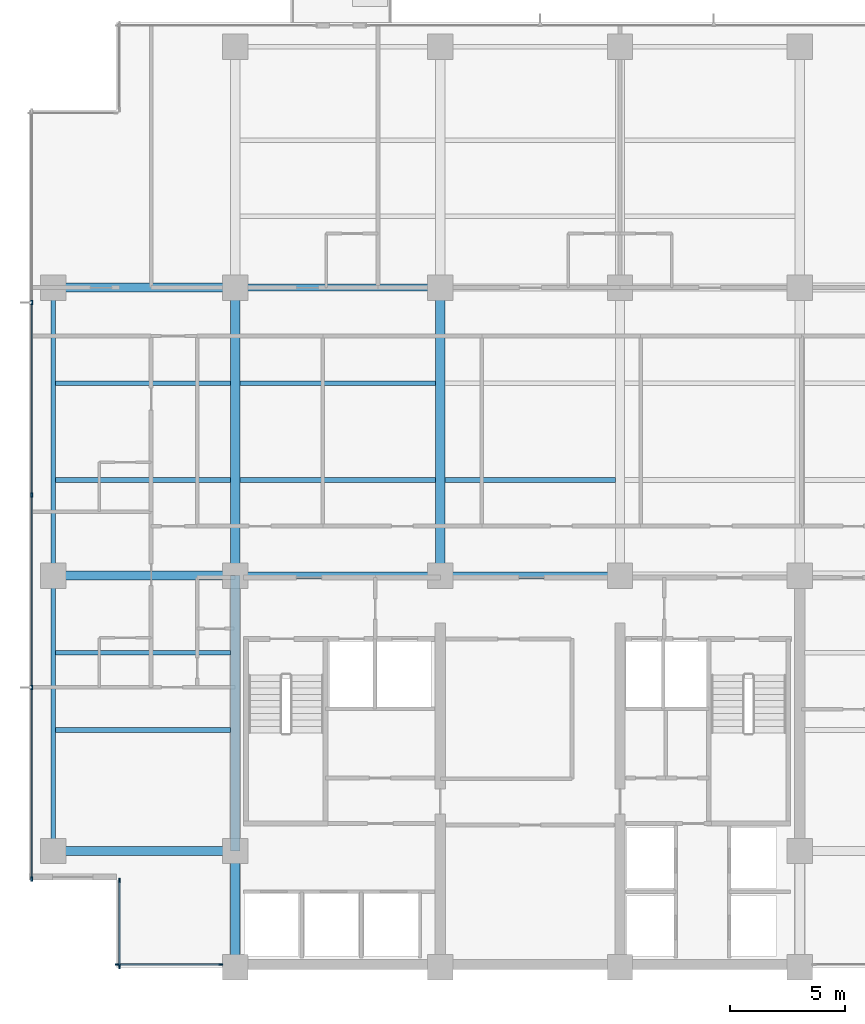
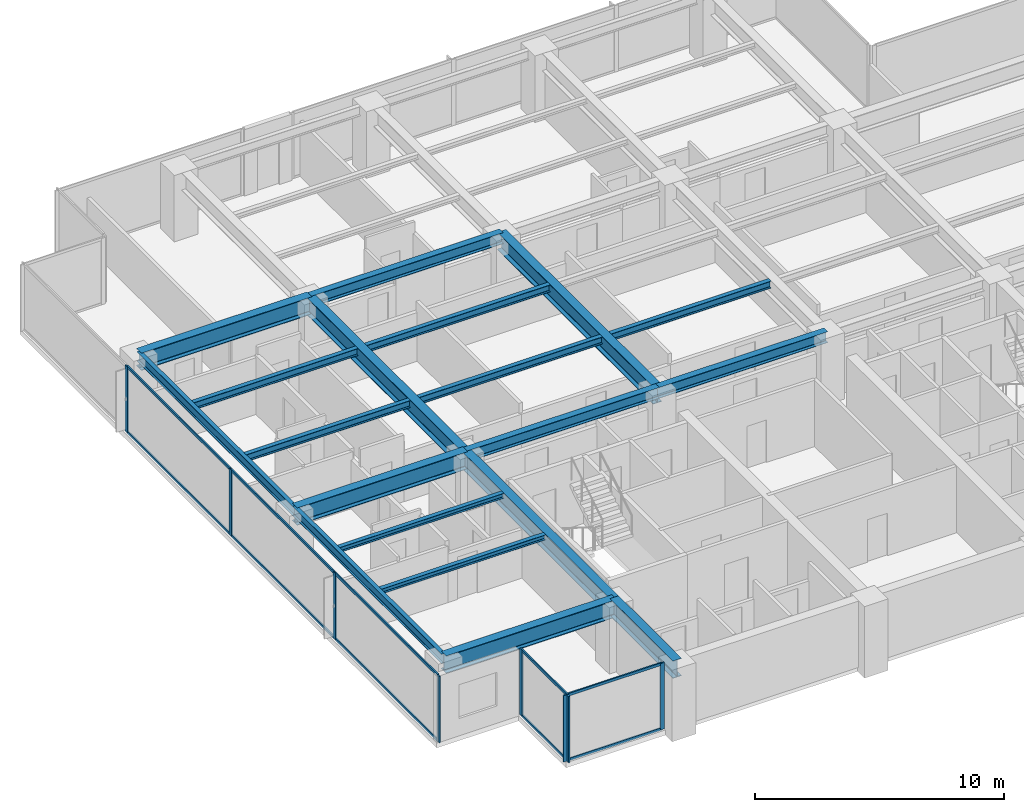
# One storey, part 2 of 14: 19 beams, 18 members, 3 elements without a shape of their own.
"""IFC4 building model written with IfcOpenShell, lengths in metres."""

from ifc_helpers import new_model, si_unit, direction, frame, origin, origin_2d, place, context, subcontext, project, spatial, rectangle, i_section, extrude, material, layer, layer_set, material_profile, profile_set, type_object, element, aggregate, save


model = new_model("IFC4")

# Units and contexts
model_context = context("Model", 3, precision=1e-05, world=origin(), true_north=direction((0.0, 1.0)))
body_context = subcontext(model_context, "Body", "Model", "MODEL_VIEW")
ifc_project = project(units=[si_unit("LENGTHUNIT", "METRE"), si_unit("AREAUNIT", "SQUARE_METRE"), si_unit("VOLUMEUNIT", "CUBIC_METRE"), si_unit("PLANEANGLEUNIT", "RADIAN"), si_unit("MASSUNIT", "GRAM", prefix="KILO")], contexts=[model_context])

# Site, building, storey
site_placement = place(None, origin())
site = spatial("IfcSite", under=ifc_project, at=site_placement, CompositionType="ELEMENT")
building_placement = place(site_placement, origin())
building = spatial("IfcBuilding", under=site, at=building_placement, Name="Qalmaran Belvedere Hotel", CompositionType="ELEMENT")
storey_placement = place(building_placement, frame((0.0, 0.0, 166.60009765625)))
storey = spatial("IfcBuildingStorey", under=building, at=storey_placement, Name="L42", CompositionType="ELEMENT", Elevation=166.60009765625)

# Beams
ifc_material_1 = material(Name="Steel S355JR", Category="steel")
ifc_material_profile_1 = material_profile(ifc_material_1, i_section(OverallWidth=0.201904296875, OverallDepth=0.2470703125, WebThickness=0.00732421875, FlangeThickness=0.010986328125, FilletRadius=0.011962890625, at=origin_2d()), Name="W250X49")
ifc_profile_set_1 = profile_set([ifc_material_profile_1], Name="Steel S355JR")
beam_type_1 = type_object("IfcBeamType", Name="BM-JST-W250X49", PredefinedType="JOIST", material=ifc_profile_set_1)
for number, where, z_axis, x_axis, name in (
    (1, (12.493896484375, 13.800048828125, 3.12646484375), (1.0, 0.0, 0.0), (0.0, 1.0, 0.0), "L42 West Wing Joist 038"),
    (2, (12.493896484375, 17.14990234375, 3.12646484375), (1.0, 0.0, 0.0), (0.0, 1.0, 0.0), "L42 West Wing Joist 040"),
):
    element("IfcBeam", number, at=place(storey_placement, frame(where, z_axis=z_axis, x_axis=x_axis)), inside=storey, type_object=beam_type_1, Name=name, PredefinedType="JOIST", context=body_context, shape_type="SweptSolid", body=[
        extrude(i_section(OverallWidth=0.201904296875, OverallDepth=0.2470703125, WebThickness=0.00732421875, FlangeThickness=0.010986328125, FilletRadius=0.011962890625, at=origin_2d()), origin(), (0.0, 0.0, 1.0), 7.608154296875),
    ])
ifc_material_profile_2 = material_profile(ifc_material_1, i_section(OverallWidth=0.39990234375, OverallDepth=0.85498046875, WebThickness=0.018310546875, FlangeThickness=0.029296875, FilletRadius=0.02392578125, at=origin_2d()), Name="W840X299")
ifc_profile_set_2 = profile_set([ifc_material_profile_2], Name="Steel S355JR")
beam_type_2 = type_object("IfcBeamType", Name="BM-PG3-W840X299", PredefinedType="USERDEFINED", material=ifc_profile_set_2)
for number, where, z_axis, x_axis, name in (
    (3, (20.300048828125, 20.5, 2.822509765625), (0.0, 1.0, 0.0), (-1.0, 0.0, 0.0), "L42 Mid-Plate N-S Girder 14"),
    (4, (29.199951171875, 20.5, 2.822509765625), (0.0, 1.0, 0.0), (-1.0, 0.0, 0.0), "L42 Mid-Plate N-S Girder 16"),
):
    element("IfcBeam", number, at=place(storey_placement, frame(where, z_axis=z_axis, x_axis=x_axis)), inside=storey, type_object=beam_type_2, Name=name, ObjectType="GIRDER", PredefinedType="USERDEFINED", context=body_context, shape_type="SweptSolid", body=[
        extrude(i_section(OverallWidth=0.39990234375, OverallDepth=0.85498046875, WebThickness=0.018310546875, FlangeThickness=0.029296875, FilletRadius=0.02392578125, at=origin_2d()), origin(), (0.0, 0.0, 1.0), 12.5),
    ])
for number, where, z_axis, x_axis, name in (
    (5, (12.39990234375, 8.550048828125, 2.822509765625), (1.0, 0.0, 0.0), (0.0, 1.0, 0.0), "L42 West Wing Girder 22"),
    (6, (12.39990234375, 20.5, 2.822509765625), (1.0, 0.0, 0.0), (0.0, 1.0, 0.0), "L42 West Wing Girder 23"),
    (7, (12.39990234375, 33.0, 2.822509765625), (1.0, 0.0, 0.0), (0.0, 1.0, 0.0), "L42 West Wing Girder 24"),
):
    element("IfcBeam", number, at=place(storey_placement, frame(where, z_axis=z_axis, x_axis=x_axis)), inside=storey, type_object=beam_type_2, Name=name, ObjectType="GIRDER", PredefinedType="USERDEFINED", context=body_context, shape_type="SweptSolid", body=[
        extrude(i_section(OverallWidth=0.39990234375, OverallDepth=0.85498046875, WebThickness=0.018310546875, FlangeThickness=0.029296875, FilletRadius=0.02392578125, at=origin_2d()), origin(), (0.0, 0.0, 1.0), 7.900146484375),
    ])
beam_1_placement = place(storey_placement, frame((20.300048828125, 3.5, 2.822509765625), z_axis=(0.0, 1.0, 0.0), x_axis=(-1.0, 0.0, 0.0)))
element("IfcBeam", 8, at=beam_1_placement, inside=storey, type_object=beam_type_2, Name="L42 West Core Edge Girder A", ObjectType="GIRDER", PredefinedType="USERDEFINED", context=body_context, shape_type="SweptSolid", body=[
    extrude(i_section(OverallWidth=0.39990234375, OverallDepth=0.85498046875, WebThickness=0.018310546875, FlangeThickness=0.029296875, FilletRadius=0.02392578125, at=origin_2d()), origin(), (0.0, 0.0, 1.0), 5.050048828125),
])
beam_2_placement = place(storey_placement, frame((20.300048828125, 8.550048828125, 2.822509765625), z_axis=(0.0, 1.0, 0.0), x_axis=(-1.0, 0.0, 0.0)))
element("IfcBeam", 9, at=beam_2_placement, inside=storey, type_object=beam_type_2, Name="L42 West Core Edge Girder B", ObjectType="GIRDER", PredefinedType="USERDEFINED", context=body_context, shape_type="SweptSolid", body=[
    extrude(i_section(OverallWidth=0.39990234375, OverallDepth=0.85498046875, WebThickness=0.018310546875, FlangeThickness=0.029296875, FilletRadius=0.02392578125, at=origin_2d()), origin(), (0.0, 0.0, 1.0), 11.949951171875),
])
ifc_material_profile_3 = material_profile(ifc_material_1, i_section(OverallWidth=0.205078125, OverallDepth=0.35400390625, WebThickness=0.009521484375, FlangeThickness=0.016845703125, FilletRadius=0.014892578125, at=origin_2d()), Name="W360X79")
ifc_profile_set_3 = profile_set([ifc_material_profile_3], Name="Steel S355JR")
beam_type_3 = type_object("IfcBeamType", Name="BM-SB3-W360X79", PredefinedType="BEAM", material=ifc_profile_set_3)
beam_3_placement = place(storey_placement, frame((12.493896484375, 24.64990234375, 3.072998046875), z_axis=(1.0, 0.0, 0.0), x_axis=(0.0, 1.0, 0.0)))
element("IfcBeam", 10, at=beam_3_placement, inside=storey, type_object=beam_type_3, Name="L42 West Secondary Beam 028", PredefinedType="BEAM", context=body_context, shape_type="SweptSolid", body=[
    extrude(i_section(OverallWidth=0.205078125, OverallDepth=0.35400390625, WebThickness=0.009521484375, FlangeThickness=0.016845703125, FilletRadius=0.014892578125, at=origin_2d()), origin(), (0.0, 0.0, 1.0), 7.608154296875),
])
beam_4_placement = place(storey_placement, frame((20.498046875, 24.64990234375, 3.072998046875), z_axis=(1.0, 0.0, 0.0), x_axis=(0.0, 1.0, 0.0)))
element("IfcBeam", 11, at=beam_4_placement, inside=storey, type_object=beam_type_3, Name="L42 Secondary Floor Beam 029", PredefinedType="BEAM", context=body_context, shape_type="SweptSolid", body=[
    extrude(i_section(OverallWidth=0.205078125, OverallDepth=0.35400390625, WebThickness=0.009521484375, FlangeThickness=0.016845703125, FilletRadius=0.014892578125, at=origin_2d()), origin(), (0.0, 0.0, 1.0), 8.50390625),
])
beam_5_placement = place(storey_placement, frame((29.39794921875, 24.64990234375, 3.072998046875), z_axis=(1.0, 0.0, 0.0), x_axis=(0.0, 1.0, 0.0)))
element("IfcBeam", 12, at=beam_5_placement, inside=storey, type_object=beam_type_3, Name="L42 Secondary Floor Beam 030", PredefinedType="BEAM", context=body_context, shape_type="SweptSolid", body=[
    extrude(i_section(OverallWidth=0.205078125, OverallDepth=0.35400390625, WebThickness=0.009521484375, FlangeThickness=0.016845703125, FilletRadius=0.014892578125, at=origin_2d()), origin(), (0.0, 0.0, 1.0), 7.404052734375),
])
beam_6_placement = place(storey_placement, frame((12.493896484375, 28.85009765625, 3.072998046875), z_axis=(1.0, 0.0, 0.0), x_axis=(0.0, 1.0, 0.0)))
element("IfcBeam", 13, at=beam_6_placement, inside=storey, type_object=beam_type_3, Name="L42 West Secondary Beam 033", PredefinedType="BEAM", context=body_context, shape_type="SweptSolid", body=[
    extrude(i_section(OverallWidth=0.205078125, OverallDepth=0.35400390625, WebThickness=0.009521484375, FlangeThickness=0.016845703125, FilletRadius=0.014892578125, at=origin_2d()), origin(), (0.0, 0.0, 1.0), 7.608154296875),
])
beam_7_placement = place(storey_placement, frame((20.498046875, 28.85009765625, 3.072998046875), z_axis=(1.0, 0.0, 0.0), x_axis=(0.0, 1.0, 0.0)))
element("IfcBeam", 14, at=beam_7_placement, inside=storey, type_object=beam_type_3, Name="L42 Secondary Floor Beam 034", PredefinedType="BEAM", context=body_context, shape_type="SweptSolid", body=[
    extrude(i_section(OverallWidth=0.205078125, OverallDepth=0.35400390625, WebThickness=0.009521484375, FlangeThickness=0.016845703125, FilletRadius=0.014892578125, at=origin_2d()), origin(), (0.0, 0.0, 1.0), 8.50390625),
])
ifc_material_profile_4 = material_profile(ifc_material_1, i_section(OverallWidth=0.19189453125, OverallDepth=0.462890625, WebThickness=0.010498046875, FlangeThickness=0.017578125, FilletRadius=0.01611328125, at=origin_2d()), Name="W460X89")
ifc_profile_set_4 = profile_set([ifc_material_profile_4], Name="Steel S355JR")
beam_type_4 = type_object("IfcBeamType", Name="BM-SP2-W460X89", PredefinedType="SPANDREL", material=ifc_profile_set_4)
beam_8_placement = place(storey_placement, frame((12.39990234375, 8.550048828125, 3.018310546875), z_axis=(0.0, 1.0, 0.0), x_axis=(-1.0, 0.0, 0.0)))
element("IfcBeam", 15, at=beam_8_placement, inside=storey, type_object=beam_type_4, Name="L42 Perimeter Spandrel 01", PredefinedType="SPANDREL", context=body_context, shape_type="SweptSolid", body=[
    extrude(i_section(OverallWidth=0.19189453125, OverallDepth=0.462890625, WebThickness=0.010498046875, FlangeThickness=0.017578125, FilletRadius=0.01611328125, at=origin_2d()), origin(), (0.0, 0.0, 1.0), 11.949951171875),
])
beam_9_placement = place(storey_placement, frame((12.39990234375, 20.5, 3.018310546875), z_axis=(0.0, 1.0, 0.0), x_axis=(-1.0, 0.0, 0.0)))
element("IfcBeam", 16, at=beam_9_placement, inside=storey, type_object=beam_type_4, Name="L42 Perimeter Spandrel 02", PredefinedType="SPANDREL", context=body_context, shape_type="SweptSolid", body=[
    extrude(i_section(OverallWidth=0.19189453125, OverallDepth=0.462890625, WebThickness=0.010498046875, FlangeThickness=0.017578125, FilletRadius=0.01611328125, at=origin_2d()), origin(), (0.0, 0.0, 1.0), 12.5),
])
ifc_material_profile_5 = material_profile(ifc_material_1, i_section(OverallWidth=0.31201171875, OverallDepth=0.54296875, WebThickness=0.0126953125, FlangeThickness=0.020263671875, FilletRadius=0.01806640625, at=origin_2d()), Name="W530X150")
ifc_profile_set_5 = profile_set([ifc_material_profile_5], Name="Steel S355JR")
beam_type_5 = type_object("IfcBeamType", Name="BM-Z3-W530X150", PredefinedType="USERDEFINED", material=ifc_profile_set_5)
beam_10_placement = place(storey_placement, frame((20.300048828125, 20.5, 2.978515625), z_axis=(1.0, 0.0, 0.0), x_axis=(0.0, 1.0, 0.0)))
element("IfcBeam", 17, at=beam_10_placement, inside=storey, type_object=beam_type_5, Name="L42 Interior E-W Girder 08", ObjectType="GIRDER", PredefinedType="USERDEFINED", context=body_context, shape_type="SweptSolid", body=[
    extrude(i_section(OverallWidth=0.31201171875, OverallDepth=0.54296875, WebThickness=0.0126953125, FlangeThickness=0.020263671875, FilletRadius=0.01806640625, at=origin_2d()), origin(), (0.0, 0.0, 1.0), 8.89990234375),
])
beam_11_placement = place(storey_placement, frame((29.199951171875, 20.5, 2.978515625), z_axis=(1.0, 0.0, 0.0), x_axis=(0.0, 1.0, 0.0)))
element("IfcBeam", 18, at=beam_11_placement, inside=storey, type_object=beam_type_5, Name="L42 Interior E-W Girder 09", ObjectType="GIRDER", PredefinedType="USERDEFINED", context=body_context, shape_type="SweptSolid", body=[
    extrude(i_section(OverallWidth=0.31201171875, OverallDepth=0.54296875, WebThickness=0.0126953125, FlangeThickness=0.020263671875, FilletRadius=0.01806640625, at=origin_2d()), origin(), (0.0, 0.0, 1.0), 7.800048828125),
])
beam_12_placement = place(storey_placement, frame((20.300048828125, 33.0, 2.978515625), z_axis=(1.0, 0.0, 0.0), x_axis=(0.0, 1.0, 0.0)))
element("IfcBeam", 19, at=beam_12_placement, inside=storey, type_object=beam_type_5, Name="L42 Interior E-W Girder 11", ObjectType="GIRDER", PredefinedType="USERDEFINED", context=body_context, shape_type="SweptSolid", body=[
    extrude(i_section(OverallWidth=0.31201171875, OverallDepth=0.54296875, WebThickness=0.0126953125, FlangeThickness=0.020263671875, FilletRadius=0.01806640625, at=origin_2d()), origin(), (0.0, 0.0, 1.0), 8.89990234375),
])

# Curtain wall, members
ifc_material_2 = material(Name="Anodised Bronze Aluminium", Category="aluminium")
ifc_layer = layer(ifc_material_2, 0.195068359375, Name="Anodised Bronze Aluminium")
ifc_layer_set = layer_set([ifc_layer], Name="Anodised Bronze Aluminium")
curtain_wall_type = type_object("IfcCurtainWallType", Name="CW4-TOWER-HIGHMID", PredefinedType="NOTDEFINED", material=ifc_layer_set)
curtain_wall_1_placement = place(storey_placement, origin())
curtain_wall_1 = element("IfcCurtainWall", 20, at=curtain_wall_1_placement, inside=storey, type_object=curtain_wall_type, Name="L42 Curtain Wall CW4", PredefinedType="NOTDEFINED")
ifc_material_profile_6 = material_profile(ifc_material_2, rectangle(XDim=0.070068359375, YDim=0.18994140625, at=origin_2d()), Name="CWM70X190")
ifc_profile_set_6 = profile_set([ifc_material_profile_6], Name="Anodised Bronze Aluminium")
member_type_1 = type_object("IfcMemberType", Name="CWM-70X190", PredefinedType="MULLION", material=ifc_profile_set_6)
member_1_placement = place(storey_placement, frame((15.18505859375, 3.6201171875, 0.0), z_axis=(0.0, 0.0, 1.0), x_axis=(0.0, 1.0, 0.0)))
member_1 = element("IfcMember", 21, at=member_1_placement, type_object=member_type_1, Name="CW4 mullion 1", PredefinedType="MULLION", context=body_context, shape_type="SweptSolid", body=[
    extrude(rectangle(XDim=0.070068359375, YDim=0.18994140625, at=origin_2d()), origin(), (0.0, 0.0, 1.0), 3.25),
])
member_2_placement = place(storey_placement, frame((19.675048828125, 3.6201171875, 0.0), z_axis=(0.0, 0.0, 1.0), x_axis=(0.0, 1.0, 0.0)))
member_2 = element("IfcMember", 22, at=member_2_placement, type_object=member_type_1, Name="CW4 mullion 2", PredefinedType="MULLION", context=body_context, shape_type="SweptSolid", body=[
    extrude(rectangle(XDim=0.070068359375, YDim=0.18994140625, at=origin_2d()), origin(), (0.0, 0.0, 1.0), 3.25),
])

curtain_wall_2_placement = place(storey_placement, origin())
curtain_wall_2 = element("IfcCurtainWall", 23, at=curtain_wall_2_placement, inside=storey, type_object=curtain_wall_type, Name="L42 Curtain Wall CW4", PredefinedType="NOTDEFINED")
member_3_placement = place(storey_placement, frame((11.469970703125, 32.35009765625, 0.0), z_axis=(0.0, 0.0, 1.0), x_axis=(1.0, 0.0, 0.0)))
member_3 = element("IfcMember", 24, at=member_3_placement, type_object=member_type_1, Name="CW4 mullion 2", PredefinedType="MULLION", context=body_context, shape_type="SweptSolid", body=[
    extrude(rectangle(XDim=0.070068359375, YDim=0.18994140625, at=origin_2d()), origin(), (0.0, 0.0, 1.0), 3.25),
])
member_4_placement = place(storey_placement, frame((11.469970703125, 24.0, 0.0), z_axis=(0.0, 0.0, 1.0), x_axis=(1.0, 0.0, 0.0)))
member_4 = element("IfcMember", 25, at=member_4_placement, type_object=member_type_1, Name="CW4 mullion 3", PredefinedType="MULLION", context=body_context, shape_type="SweptSolid", body=[
    extrude(rectangle(XDim=0.070068359375, YDim=0.18994140625, at=origin_2d()), origin(), (0.0, 0.0, 1.0), 3.25),
])
member_5_placement = place(storey_placement, frame((11.469970703125, 15.64990234375, 0.0), z_axis=(0.0, 0.0, 1.0), x_axis=(1.0, 0.0, 0.0)))
member_5 = element("IfcMember", 26, at=member_5_placement, type_object=member_type_1, Name="CW4 mullion 4", PredefinedType="MULLION", context=body_context, shape_type="SweptSolid", body=[
    extrude(rectangle(XDim=0.070068359375, YDim=0.18994140625, at=origin_2d()), origin(), (0.0, 0.0, 1.0), 3.25),
])
member_6_placement = place(storey_placement, frame((11.469970703125, 7.3349609375, 0.0), z_axis=(0.0, 0.0, 1.0), x_axis=(1.0, 0.0, 0.0)))
member_6 = element("IfcMember", 27, at=member_6_placement, type_object=member_type_1, Name="CW4 mullion 5", PredefinedType="MULLION", context=body_context, shape_type="SweptSolid", body=[
    extrude(rectangle(XDim=0.070068359375, YDim=0.18994140625, at=origin_2d()), origin(), (0.0, 0.0, 1.0), 3.25),
])

curtain_wall_3_placement = place(storey_placement, origin())
curtain_wall_3 = element("IfcCurtainWall", 28, at=curtain_wall_3_placement, inside=storey, type_object=curtain_wall_type, Name="L42 Curtain Wall CW4", PredefinedType="NOTDEFINED")
member_7_placement = place(storey_placement, frame((15.27001953125, 7.264892578125, 0.0), z_axis=(0.0, 0.0, 1.0), x_axis=(1.0, 0.0, 0.0)))
member_7 = element("IfcMember", 29, at=member_7_placement, type_object=member_type_1, Name="CW4 mullion 1", PredefinedType="MULLION", context=body_context, shape_type="SweptSolid", body=[
    extrude(rectangle(XDim=0.070068359375, YDim=0.18994140625, at=origin_2d()), origin(), (0.0, 0.0, 1.0), 3.25),
])
member_8_placement = place(storey_placement, frame((15.27001953125, 3.534912109375, 0.0), z_axis=(0.0, 0.0, 1.0), x_axis=(1.0, 0.0, 0.0)))
member_8 = element("IfcMember", 30, at=member_8_placement, type_object=member_type_1, Name="CW4 mullion 2", PredefinedType="MULLION", context=body_context, shape_type="SweptSolid", body=[
    extrude(rectangle(XDim=0.070068359375, YDim=0.18994140625, at=origin_2d()), origin(), (0.0, 0.0, 1.0), 3.25),
])

# Member
ifc_material_profile_7 = material_profile(ifc_material_2, rectangle(XDim=0.06494140625, YDim=0.1298828125, at=origin_2d()), Name="CWT65X130")
ifc_profile_set_7 = profile_set([ifc_material_profile_7], Name="Anodised Bronze Aluminium")
member_type_2 = type_object("IfcMemberType", Name="CWT-65X130", PredefinedType="USERDEFINED", material=ifc_profile_set_7)
member_9_placement = place(storey_placement, frame((15.219970703125, 3.6201171875, 0.032470703125), z_axis=(1.0, 0.0, 0.0), x_axis=(0.0, 1.0, 0.0)))
member_9 = element("IfcMember", 31, at=member_9_placement, type_object=member_type_2, Name="CW4 transom 1.1", ObjectType="TRANSOM", PredefinedType="USERDEFINED", context=body_context, shape_type="SweptSolid", body=[
    extrude(rectangle(XDim=0.06494140625, YDim=0.1298828125, at=origin_2d()), origin(), (0.0, 0.0, 1.0), 4.419921875),
])

member_10_placement = place(storey_placement, frame((15.219970703125, 3.6201171875, 3.21728515625), z_axis=(1.0, 0.0, 0.0), x_axis=(0.0, 1.0, 0.0)))
member_10 = element("IfcMember", 32, at=member_10_placement, type_object=member_type_2, Name="CW4 transom 1.2", ObjectType="TRANSOM", PredefinedType="USERDEFINED", context=body_context, shape_type="SweptSolid", body=[
    extrude(rectangle(XDim=0.06494140625, YDim=0.1298828125, at=origin_2d()), origin(), (0.0, 0.0, 1.0), 4.419921875),
])

aggregate(curtain_wall_1, [member_1, member_2, member_9, member_10])

member_11_placement = place(storey_placement, frame((11.469970703125, 32.31494140625, 0.032470703125), z_axis=(0.0, -1.0, 0.0), x_axis=(1.0, 0.0, 0.0)))
member_11 = element("IfcMember", 33, at=member_11_placement, type_object=member_type_2, Name="CW4 transom 2.1", ObjectType="TRANSOM", PredefinedType="USERDEFINED", context=body_context, shape_type="SweptSolid", body=[
    extrude(rectangle(XDim=0.06494140625, YDim=0.1298828125, at=origin_2d()), origin(), (0.0, 0.0, 1.0), 8.280029296875),
])

member_12_placement = place(storey_placement, frame((11.469970703125, 32.31494140625, 3.21728515625), z_axis=(0.0, -1.0, 0.0), x_axis=(1.0, 0.0, 0.0)))
member_12 = element("IfcMember", 34, at=member_12_placement, type_object=member_type_2, Name="CW4 transom 2.2", ObjectType="TRANSOM", PredefinedType="USERDEFINED", context=body_context, shape_type="SweptSolid", body=[
    extrude(rectangle(XDim=0.06494140625, YDim=0.1298828125, at=origin_2d()), origin(), (0.0, 0.0, 1.0), 8.280029296875),
])

member_13_placement = place(storey_placement, frame((11.469970703125, 23.965087890625, 0.032470703125), z_axis=(0.0, -1.0, 0.0), x_axis=(1.0, 0.0, 0.0)))
member_13 = element("IfcMember", 35, at=member_13_placement, type_object=member_type_2, Name="CW4 transom 3.1", ObjectType="TRANSOM", PredefinedType="USERDEFINED", context=body_context, shape_type="SweptSolid", body=[
    extrude(rectangle(XDim=0.06494140625, YDim=0.1298828125, at=origin_2d()), origin(), (0.0, 0.0, 1.0), 8.280029296875),
])

member_14_placement = place(storey_placement, frame((11.469970703125, 23.965087890625, 3.21728515625), z_axis=(0.0, -1.0, 0.0), x_axis=(1.0, 0.0, 0.0)))
member_14 = element("IfcMember", 36, at=member_14_placement, type_object=member_type_2, Name="CW4 transom 3.2", ObjectType="TRANSOM", PredefinedType="USERDEFINED", context=body_context, shape_type="SweptSolid", body=[
    extrude(rectangle(XDim=0.06494140625, YDim=0.1298828125, at=origin_2d()), origin(), (0.0, 0.0, 1.0), 8.280029296875),
])

member_15_placement = place(storey_placement, frame((11.469970703125, 15.614990234375, 0.032470703125), z_axis=(0.0, -1.0, 0.0), x_axis=(1.0, 0.0, 0.0)))
member_15 = element("IfcMember", 37, at=member_15_placement, type_object=member_type_2, Name="CW4 transom 4.1", ObjectType="TRANSOM", PredefinedType="USERDEFINED", context=body_context, shape_type="SweptSolid", body=[
    extrude(rectangle(XDim=0.06494140625, YDim=0.1298828125, at=origin_2d()), origin(), (0.0, 0.0, 1.0), 8.244873046875),
])

member_16_placement = place(storey_placement, frame((11.469970703125, 15.614990234375, 3.21728515625), z_axis=(0.0, -1.0, 0.0), x_axis=(1.0, 0.0, 0.0)))
member_16 = element("IfcMember", 38, at=member_16_placement, type_object=member_type_2, Name="CW4 transom 4.2", ObjectType="TRANSOM", PredefinedType="USERDEFINED", context=body_context, shape_type="SweptSolid", body=[
    extrude(rectangle(XDim=0.06494140625, YDim=0.1298828125, at=origin_2d()), origin(), (0.0, 0.0, 1.0), 8.244873046875),
])

aggregate(curtain_wall_2, [member_3, member_4, member_5, member_6, member_11, member_12, member_13, member_14, member_15, member_16])

member_17_placement = place(storey_placement, frame((15.27001953125, 7.22998046875, 0.032470703125), z_axis=(0.0, -1.0, 0.0), x_axis=(1.0, 0.0, 0.0)))
member_17 = element("IfcMember", 39, at=member_17_placement, type_object=member_type_2, Name="CW4 transom 1.1", ObjectType="TRANSOM", PredefinedType="USERDEFINED", context=body_context, shape_type="SweptSolid", body=[
    extrude(rectangle(XDim=0.06494140625, YDim=0.1298828125, at=origin_2d()), origin(), (0.0, 0.0, 1.0), 3.659912109375),
])

member_18_placement = place(storey_placement, frame((15.27001953125, 7.22998046875, 3.21728515625), z_axis=(0.0, -1.0, 0.0), x_axis=(1.0, 0.0, 0.0)))
member_18 = element("IfcMember", 40, at=member_18_placement, type_object=member_type_2, Name="CW4 transom 1.2", ObjectType="TRANSOM", PredefinedType="USERDEFINED", context=body_context, shape_type="SweptSolid", body=[
    extrude(rectangle(XDim=0.06494140625, YDim=0.1298828125, at=origin_2d()), origin(), (0.0, 0.0, 1.0), 3.659912109375),
])

aggregate(curtain_wall_3, [member_7, member_8, member_17, member_18])

save(model, "model.ifc")
